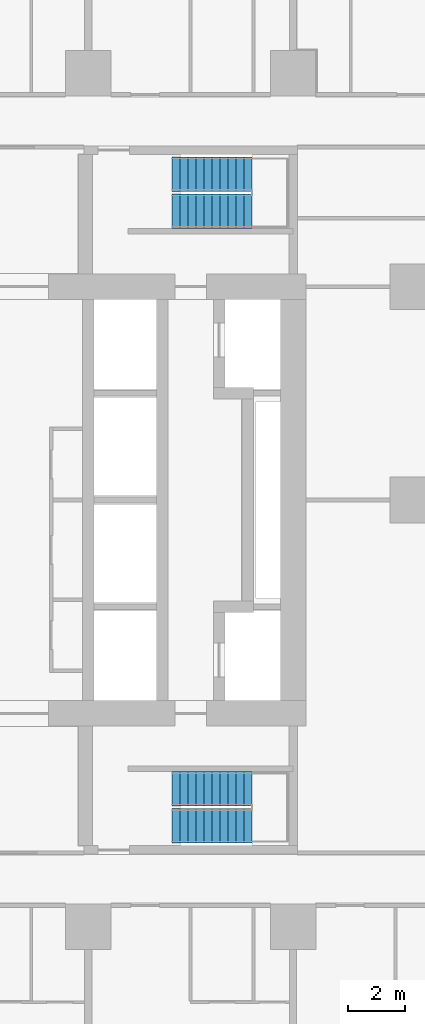
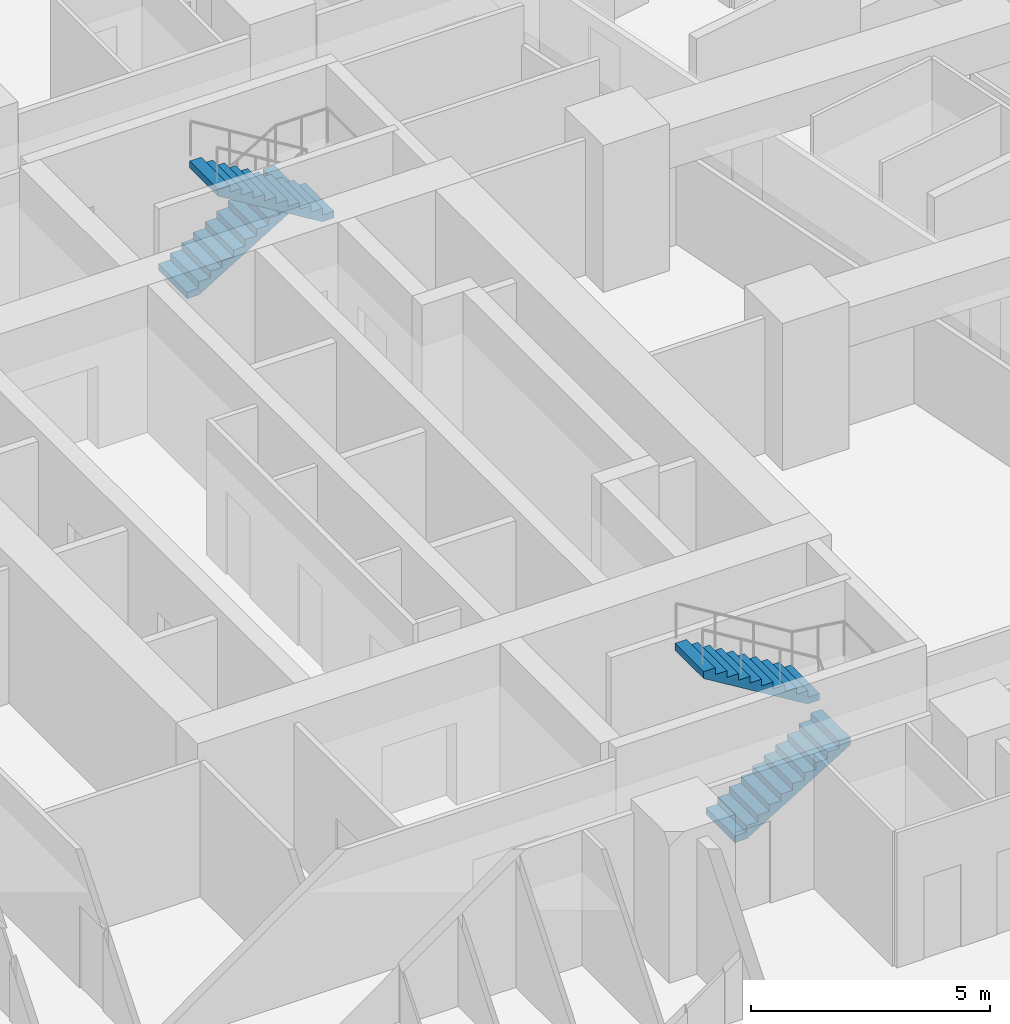
# One storey, part 11 of 14: 4 stair flights, 2 elements without a shape of their own.
"""IFC4 building model written with IfcOpenShell, lengths in metres."""

from ifc_helpers import new_model, si_unit, direction, frame, origin, place, context, subcontext, project, spatial, triangles, material, type_object, element, aggregate, save


model = new_model("IFC4")

# Units and contexts
model_context = context("Model", 3, precision=1e-05, world=origin(), true_north=direction((0.0, 1.0)))
body_context = subcontext(model_context, "Body", "Model", "MODEL_VIEW")
ifc_project = project(units=[si_unit("LENGTHUNIT", "METRE"), si_unit("AREAUNIT", "SQUARE_METRE"), si_unit("VOLUMEUNIT", "CUBIC_METRE"), si_unit("PLANEANGLEUNIT", "RADIAN"), si_unit("MASSUNIT", "GRAM", prefix="KILO")], contexts=[model_context])

# Site, building, storey
site_placement = place(None, origin())
site = spatial("IfcSite", under=ifc_project, at=site_placement, CompositionType="ELEMENT")
building_placement = place(site_placement, origin())
building = spatial("IfcBuilding", under=site, at=building_placement, Name="Sheger Commons Tower", CompositionType="ELEMENT")
storey_placement = place(building_placement, frame((0.0, 0.0, 126.64990234375)))
storey = spatial("IfcBuildingStorey", under=building, at=storey_placement, Name="L32", CompositionType="ELEMENT", Elevation=126.64990234375)

# Stair, stair flights
ifc_material_1 = material(Name="Concrete C35/45", Category="concrete")
stair_type = type_object("IfcStairType", Name="HALF-TURN STAIR 1200 RISE 3750", PredefinedType="HALF_TURN_STAIR", material=ifc_material_1)
stair_1_placement = place(storey_placement, origin())
stair_1 = element("IfcStair", 1, at=stair_1_placement, inside=storey, type_object=stair_type, Name="Stair S1 L32", PredefinedType="HALF_TURN_STAIR")
ifc_material_2 = material(Name="Concrete C35/45", Category="concrete")
stair_flight_type = type_object("IfcStairFlightType", Name="STAIR FLIGHT 1200 11 RISERS OF 170", PredefinedType="STRAIGHT", material=ifc_material_2)
stair_flight_1_placement = place(storey_placement, frame((24.550048828125, 11.050048828125, 0.0), z_axis=(0.0, 0.0, 1.0), x_axis=(1.0, 0.0, 0.0)))
stair_flight_1 = element("IfcStairFlight", 2, at=stair_flight_1_placement, type_object=stair_flight_type, Name="S1 flight 1", NumberOfRisers=11, NumberOfTreads=10, PredefinedType="STRAIGHT", RiserHeight=0.170454545, TreadLength=0.28, context=body_context, shape_type="Tessellation", body=[
    triangles([(0.0, 0.5999755859375, 0.0), (0.0, 0.5999755859375, 0.17041015625), (0.280029296875, 0.5999755859375, 0.17041015625), (0.280029296875, 0.5999755859375, 0.3408203125), (0.56005859375, 0.5999755859375, 0.3408203125), (0.56005859375, 0.5999755859375, 0.511474609375), (0.840087890625, 0.5999755859375, 0.511474609375), (0.840087890625, 0.5999755859375, 0.681884765625), (1.1201171875, 0.5999755859375, 0.681884765625), (1.1201171875, 0.5999755859375, 0.852294921875), (1.39990234375, 0.5999755859375, 0.852294921875), (1.39990234375, 0.5999755859375, 1.022705078125), (1.679931640625, 0.5999755859375, 1.022705078125), (1.679931640625, 0.5999755859375, 1.193115234375), (1.9599609375, 0.5999755859375, 1.193115234375), (1.9599609375, 0.5999755859375, 1.363525390625), (2.239990234375, 0.5999755859375, 1.363525390625), (2.239990234375, 0.5999755859375, 1.5341796875), (2.52001953125, 0.5999755859375, 1.5341796875), (2.52001953125, 0.5999755859375, 1.70458984375), (2.800048828125, 0.5999755859375, 1.70458984375), (2.800048828125, 0.5999755859375, 1.529052734375), (0.288330078125, 0.5999755859375, 0.0), (0.0, -0.5999755859375, 0.0), (0.0, -0.5999755859375, 0.17041015625), (0.280029296875, -0.5999755859375, 0.17041015625), (0.280029296875, -0.5999755859375, 0.3408203125), (0.56005859375, -0.5999755859375, 0.3408203125), (0.56005859375, -0.5999755859375, 0.511474609375), (0.840087890625, -0.5999755859375, 0.511474609375), (0.840087890625, -0.5999755859375, 0.681884765625), (1.1201171875, -0.5999755859375, 0.681884765625), (1.1201171875, -0.5999755859375, 0.852294921875), (1.39990234375, -0.5999755859375, 0.852294921875), (1.39990234375, -0.5999755859375, 1.022705078125), (1.679931640625, -0.5999755859375, 1.022705078125), (1.679931640625, -0.5999755859375, 1.193115234375), (1.9599609375, -0.5999755859375, 1.193115234375), (1.9599609375, -0.5999755859375, 1.363525390625), (2.239990234375, -0.5999755859375, 1.363525390625), (2.239990234375, -0.5999755859375, 1.5341796875), (2.52001953125, -0.5999755859375, 1.5341796875), (2.52001953125, -0.5999755859375, 1.70458984375), (2.800048828125, -0.5999755859375, 1.70458984375), (2.800048828125, -0.5999755859375, 1.529052734375), (0.288330078125, -0.5999755859375, 0.0), (0.0, 0.0, 0.085205078125), (0.1400146484375, 0.0, 0.17041015625), (0.280029296875, 0.0, 0.255615234375), (0.4200439453125, 0.0, 0.3408203125), (0.56005859375, 0.0, 0.4261474609375), (0.7000732421875, 0.0, 0.511474609375), (0.840087890625, 0.0, 0.5966796875), (0.9801025390625, 0.0, 0.681884765625), (1.1201171875, 0.0, 0.76708984375), (1.260009765625, 0.0, 0.852294921875), (1.39990234375, 0.0, 0.9375), (1.5399169921875, 0.0, 1.022705078125), (1.679931640625, 0.0, 1.10791015625), (1.8199462890625, 0.0, 1.193115234375), (1.9599609375, 0.0, 1.2783203125), (2.0999755859375, 0.0, 1.363525390625), (2.239990234375, 0.0, 1.4488525390625), (2.3800048828125, 0.0, 1.5341796875), (2.52001953125, 0.0, 1.619384765625), (2.6600341796875, 0.0, 1.70458984375), (2.800048828125, 0.0, 1.6168212890625), (1.544189453125, 0.0, 0.7645263671875), (0.1441650390625, 0.0, 0.0)], [[1, 22, 23], [24, 46, 45], [22, 20, 21], [45, 44, 43], [22, 19, 20], [45, 43, 42], [22, 18, 19], [45, 42, 41], [22, 17, 18], [45, 41, 40], [17, 15, 16], [40, 39, 38], [22, 15, 17], [45, 40, 38], [15, 13, 14], [38, 37, 36], [22, 13, 15], [45, 38, 36], [13, 11, 12], [36, 35, 34], [22, 11, 13], [45, 36, 34], [11, 9, 10], [34, 33, 32], [22, 9, 11], [45, 34, 32], [9, 7, 8], [32, 31, 30], [22, 7, 9], [45, 32, 30], [7, 5, 6], [30, 29, 28], [22, 5, 7], [45, 30, 28], [5, 3, 4], [28, 27, 26], [22, 3, 5], [45, 28, 26], [1, 3, 22], [24, 45, 26], [3, 1, 2], [26, 25, 24], [1, 47, 2], [2, 47, 25], [25, 47, 24], [24, 47, 1], [2, 48, 3], [3, 48, 26], [26, 48, 25], [25, 48, 2], [3, 49, 4], [4, 49, 27], [27, 49, 26], [26, 49, 3], [4, 50, 5], [5, 50, 28], [28, 50, 27], [27, 50, 4], [5, 51, 6], [6, 51, 29], [29, 51, 28], [28, 51, 5], [6, 52, 7], [7, 52, 30], [30, 52, 29], [29, 52, 6], [7, 53, 8], [8, 53, 31], [31, 53, 30], [30, 53, 7], [8, 54, 9], [9, 54, 32], [32, 54, 31], [31, 54, 8], [9, 55, 10], [10, 55, 33], [33, 55, 32], [32, 55, 9], [10, 56, 11], [11, 56, 34], [34, 56, 33], [33, 56, 10], [11, 57, 12], [12, 57, 35], [35, 57, 34], [34, 57, 11], [12, 58, 13], [13, 58, 36], [36, 58, 35], [35, 58, 12], [13, 59, 14], [14, 59, 37], [37, 59, 36], [36, 59, 13], [14, 60, 15], [15, 60, 38], [38, 60, 37], [37, 60, 14], [15, 61, 16], [16, 61, 39], [39, 61, 38], [38, 61, 15], [16, 62, 17], [17, 62, 40], [40, 62, 39], [39, 62, 16], [17, 63, 18], [18, 63, 41], [41, 63, 40], [40, 63, 17], [18, 64, 19], [19, 64, 42], [42, 64, 41], [41, 64, 18], [19, 65, 20], [20, 65, 43], [43, 65, 42], [42, 65, 19], [20, 66, 21], [21, 66, 44], [44, 66, 43], [43, 66, 20], [21, 67, 22], [22, 67, 45], [45, 67, 44], [44, 67, 21], [22, 68, 23], [23, 68, 46], [46, 68, 45], [45, 68, 22], [23, 69, 1], [1, 69, 24], [24, 69, 46], [46, 69, 23]], closed=True),
])
stair_flight_2_placement = place(storey_placement, frame((27.35009765625, 12.35009765625, 1.875), z_axis=(0.0, 0.0, 1.0), x_axis=(-1.0, 0.0, 0.0)))
stair_flight_2 = element("IfcStairFlight", 3, at=stair_flight_2_placement, type_object=stair_flight_type, Name="S1 flight 2", NumberOfRisers=11, NumberOfTreads=10, PredefinedType="STRAIGHT", RiserHeight=0.170454545, TreadLength=0.28, context=body_context, shape_type="Tessellation", body=[
    triangles([(0.0, 0.5999755859375, 0.0), (0.0, 0.5999755859375, 0.17041015625), (0.280029296875, 0.5999755859375, 0.17041015625), (0.280029296875, 0.5999755859375, 0.3408203125), (0.56005859375, 0.5999755859375, 0.3408203125), (0.56005859375, 0.5999755859375, 0.511474609375), (0.840087890625, 0.5999755859375, 0.511474609375), (0.840087890625, 0.5999755859375, 0.681884765625), (1.1201171875, 0.5999755859375, 0.681884765625), (1.1201171875, 0.5999755859375, 0.852294921875), (1.39990234375, 0.5999755859375, 0.852294921875), (1.39990234375, 0.5999755859375, 1.022705078125), (1.679931640625, 0.5999755859375, 1.022705078125), (1.679931640625, 0.5999755859375, 1.193115234375), (1.9599609375, 0.5999755859375, 1.193115234375), (1.9599609375, 0.5999755859375, 1.363525390625), (2.239990234375, 0.5999755859375, 1.363525390625), (2.239990234375, 0.5999755859375, 1.5341796875), (2.52001953125, 0.5999755859375, 1.5341796875), (2.52001953125, 0.5999755859375, 1.70458984375), (2.800048828125, 0.5999755859375, 1.70458984375), (2.800048828125, 0.5999755859375, 1.529052734375), (0.288330078125, 0.5999755859375, 0.0), (0.0, -0.5999755859375, 0.0), (0.0, -0.5999755859375, 0.17041015625), (0.280029296875, -0.5999755859375, 0.17041015625), (0.280029296875, -0.5999755859375, 0.3408203125), (0.56005859375, -0.5999755859375, 0.3408203125), (0.56005859375, -0.5999755859375, 0.511474609375), (0.840087890625, -0.5999755859375, 0.511474609375), (0.840087890625, -0.5999755859375, 0.681884765625), (1.1201171875, -0.5999755859375, 0.681884765625), (1.1201171875, -0.5999755859375, 0.852294921875), (1.39990234375, -0.5999755859375, 0.852294921875), (1.39990234375, -0.5999755859375, 1.022705078125), (1.679931640625, -0.5999755859375, 1.022705078125), (1.679931640625, -0.5999755859375, 1.193115234375), (1.9599609375, -0.5999755859375, 1.193115234375), (1.9599609375, -0.5999755859375, 1.363525390625), (2.239990234375, -0.5999755859375, 1.363525390625), (2.239990234375, -0.5999755859375, 1.5341796875), (2.52001953125, -0.5999755859375, 1.5341796875), (2.52001953125, -0.5999755859375, 1.70458984375), (2.800048828125, -0.5999755859375, 1.70458984375), (2.800048828125, -0.5999755859375, 1.529052734375), (0.288330078125, -0.5999755859375, 0.0), (0.0, 0.0, 0.085205078125), (0.1400146484375, 0.0, 0.17041015625), (0.280029296875, 0.0, 0.255615234375), (0.4200439453125, 0.0, 0.3408203125), (0.56005859375, 0.0, 0.4261474609375), (0.7000732421875, 0.0, 0.511474609375), (0.840087890625, 0.0, 0.5966796875), (0.9801025390625, 0.0, 0.681884765625), (1.1201171875, 0.0, 0.76708984375), (1.260009765625, 0.0, 0.852294921875), (1.39990234375, 0.0, 0.9375), (1.5399169921875, 0.0, 1.022705078125), (1.679931640625, 0.0, 1.10791015625), (1.8199462890625, 0.0, 1.193115234375), (1.9599609375, 0.0, 1.2783203125), (2.0999755859375, 0.0, 1.363525390625), (2.239990234375, 0.0, 1.4488525390625), (2.3800048828125, 0.0, 1.5341796875), (2.52001953125, 0.0, 1.619384765625), (2.6600341796875, 0.0, 1.70458984375), (2.800048828125, 0.0, 1.6168212890625), (1.544189453125, 0.0, 0.7645263671875), (0.1441650390625, 0.0, 0.0)], [[1, 22, 23], [24, 46, 45], [22, 20, 21], [45, 44, 43], [22, 19, 20], [45, 43, 42], [22, 18, 19], [45, 42, 41], [22, 17, 18], [45, 41, 40], [17, 15, 16], [40, 39, 38], [22, 15, 17], [45, 40, 38], [15, 13, 14], [38, 37, 36], [22, 13, 15], [45, 38, 36], [13, 11, 12], [36, 35, 34], [22, 11, 13], [45, 36, 34], [11, 9, 10], [34, 33, 32], [22, 9, 11], [45, 34, 32], [9, 7, 8], [32, 31, 30], [22, 7, 9], [45, 32, 30], [7, 5, 6], [30, 29, 28], [22, 5, 7], [45, 30, 28], [5, 3, 4], [28, 27, 26], [22, 3, 5], [45, 28, 26], [1, 3, 22], [24, 45, 26], [3, 1, 2], [26, 25, 24], [1, 47, 2], [2, 47, 25], [25, 47, 24], [24, 47, 1], [2, 48, 3], [3, 48, 26], [26, 48, 25], [25, 48, 2], [3, 49, 4], [4, 49, 27], [27, 49, 26], [26, 49, 3], [4, 50, 5], [5, 50, 28], [28, 50, 27], [27, 50, 4], [5, 51, 6], [6, 51, 29], [29, 51, 28], [28, 51, 5], [6, 52, 7], [7, 52, 30], [30, 52, 29], [29, 52, 6], [7, 53, 8], [8, 53, 31], [31, 53, 30], [30, 53, 7], [8, 54, 9], [9, 54, 32], [32, 54, 31], [31, 54, 8], [9, 55, 10], [10, 55, 33], [33, 55, 32], [32, 55, 9], [10, 56, 11], [11, 56, 34], [34, 56, 33], [33, 56, 10], [11, 57, 12], [12, 57, 35], [35, 57, 34], [34, 57, 11], [12, 58, 13], [13, 58, 36], [36, 58, 35], [35, 58, 12], [13, 59, 14], [14, 59, 37], [37, 59, 36], [36, 59, 13], [14, 60, 15], [15, 60, 38], [38, 60, 37], [37, 60, 14], [15, 61, 16], [16, 61, 39], [39, 61, 38], [38, 61, 15], [16, 62, 17], [17, 62, 40], [40, 62, 39], [39, 62, 16], [17, 63, 18], [18, 63, 41], [41, 63, 40], [40, 63, 17], [18, 64, 19], [19, 64, 42], [42, 64, 41], [41, 64, 18], [19, 65, 20], [20, 65, 43], [43, 65, 42], [42, 65, 19], [20, 66, 21], [21, 66, 44], [44, 66, 43], [43, 66, 20], [21, 67, 22], [22, 67, 45], [45, 67, 44], [44, 67, 21], [22, 68, 23], [23, 68, 46], [46, 68, 45], [45, 68, 22], [23, 69, 1], [1, 69, 24], [24, 69, 46], [46, 69, 23]], closed=True),
])
aggregate(stair_1, [stair_flight_1, stair_flight_2])

stair_2_placement = place(storey_placement, origin())
stair_2 = element("IfcStair", 4, at=stair_2_placement, inside=storey, type_object=stair_type, Name="Stair S2 L32", PredefinedType="HALF_TURN_STAIR")
stair_flight_3_placement = place(storey_placement, frame((24.550048828125, 33.949951171875, 0.0), z_axis=(0.0, 0.0, 1.0), x_axis=(1.0, 0.0, 0.0)))
stair_flight_3 = element("IfcStairFlight", 5, at=stair_flight_3_placement, type_object=stair_flight_type, Name="S2 flight 1", NumberOfRisers=11, NumberOfTreads=10, PredefinedType="STRAIGHT", RiserHeight=0.170454545, TreadLength=0.28, context=body_context, shape_type="Tessellation", body=[
    triangles([(0.0, 0.5999755859375, 0.0), (0.0, 0.5999755859375, 0.17041015625), (0.280029296875, 0.5999755859375, 0.17041015625), (0.280029296875, 0.5999755859375, 0.3408203125), (0.56005859375, 0.5999755859375, 0.3408203125), (0.56005859375, 0.5999755859375, 0.511474609375), (0.840087890625, 0.5999755859375, 0.511474609375), (0.840087890625, 0.5999755859375, 0.681884765625), (1.1201171875, 0.5999755859375, 0.681884765625), (1.1201171875, 0.5999755859375, 0.852294921875), (1.39990234375, 0.5999755859375, 0.852294921875), (1.39990234375, 0.5999755859375, 1.022705078125), (1.679931640625, 0.5999755859375, 1.022705078125), (1.679931640625, 0.5999755859375, 1.193115234375), (1.9599609375, 0.5999755859375, 1.193115234375), (1.9599609375, 0.5999755859375, 1.363525390625), (2.239990234375, 0.5999755859375, 1.363525390625), (2.239990234375, 0.5999755859375, 1.5341796875), (2.52001953125, 0.5999755859375, 1.5341796875), (2.52001953125, 0.5999755859375, 1.70458984375), (2.800048828125, 0.5999755859375, 1.70458984375), (2.800048828125, 0.5999755859375, 1.529052734375), (0.288330078125, 0.5999755859375, 0.0), (0.0, -0.5999755859375, 0.0), (0.0, -0.5999755859375, 0.17041015625), (0.280029296875, -0.5999755859375, 0.17041015625), (0.280029296875, -0.5999755859375, 0.3408203125), (0.56005859375, -0.5999755859375, 0.3408203125), (0.56005859375, -0.5999755859375, 0.511474609375), (0.840087890625, -0.5999755859375, 0.511474609375), (0.840087890625, -0.5999755859375, 0.681884765625), (1.1201171875, -0.5999755859375, 0.681884765625), (1.1201171875, -0.5999755859375, 0.852294921875), (1.39990234375, -0.5999755859375, 0.852294921875), (1.39990234375, -0.5999755859375, 1.022705078125), (1.679931640625, -0.5999755859375, 1.022705078125), (1.679931640625, -0.5999755859375, 1.193115234375), (1.9599609375, -0.5999755859375, 1.193115234375), (1.9599609375, -0.5999755859375, 1.363525390625), (2.239990234375, -0.5999755859375, 1.363525390625), (2.239990234375, -0.5999755859375, 1.5341796875), (2.52001953125, -0.5999755859375, 1.5341796875), (2.52001953125, -0.5999755859375, 1.70458984375), (2.800048828125, -0.5999755859375, 1.70458984375), (2.800048828125, -0.5999755859375, 1.529052734375), (0.288330078125, -0.5999755859375, 0.0), (0.0, 0.0, 0.085205078125), (0.1400146484375, 0.0, 0.17041015625), (0.280029296875, 0.0, 0.255615234375), (0.4200439453125, 0.0, 0.3408203125), (0.56005859375, 0.0, 0.4261474609375), (0.7000732421875, 0.0, 0.511474609375), (0.840087890625, 0.0, 0.5966796875), (0.9801025390625, 0.0, 0.681884765625), (1.1201171875, 0.0, 0.76708984375), (1.260009765625, 0.0, 0.852294921875), (1.39990234375, 0.0, 0.9375), (1.5399169921875, 0.0, 1.022705078125), (1.679931640625, 0.0, 1.10791015625), (1.8199462890625, 0.0, 1.193115234375), (1.9599609375, 0.0, 1.2783203125), (2.0999755859375, 0.0, 1.363525390625), (2.239990234375, 0.0, 1.4488525390625), (2.3800048828125, 0.0, 1.5341796875), (2.52001953125, 0.0, 1.619384765625), (2.6600341796875, 0.0, 1.70458984375), (2.800048828125, 0.0, 1.6168212890625), (1.544189453125, 0.0, 0.7645263671875), (0.1441650390625, 0.0, 0.0)], [[1, 22, 23], [24, 46, 45], [22, 20, 21], [45, 44, 43], [22, 19, 20], [45, 43, 42], [22, 18, 19], [45, 42, 41], [22, 17, 18], [45, 41, 40], [17, 15, 16], [40, 39, 38], [22, 15, 17], [45, 40, 38], [15, 13, 14], [38, 37, 36], [22, 13, 15], [45, 38, 36], [13, 11, 12], [36, 35, 34], [22, 11, 13], [45, 36, 34], [11, 9, 10], [34, 33, 32], [22, 9, 11], [45, 34, 32], [9, 7, 8], [32, 31, 30], [22, 7, 9], [45, 32, 30], [7, 5, 6], [30, 29, 28], [22, 5, 7], [45, 30, 28], [5, 3, 4], [28, 27, 26], [22, 3, 5], [45, 28, 26], [1, 3, 22], [24, 45, 26], [3, 1, 2], [26, 25, 24], [1, 47, 2], [2, 47, 25], [25, 47, 24], [24, 47, 1], [2, 48, 3], [3, 48, 26], [26, 48, 25], [25, 48, 2], [3, 49, 4], [4, 49, 27], [27, 49, 26], [26, 49, 3], [4, 50, 5], [5, 50, 28], [28, 50, 27], [27, 50, 4], [5, 51, 6], [6, 51, 29], [29, 51, 28], [28, 51, 5], [6, 52, 7], [7, 52, 30], [30, 52, 29], [29, 52, 6], [7, 53, 8], [8, 53, 31], [31, 53, 30], [30, 53, 7], [8, 54, 9], [9, 54, 32], [32, 54, 31], [31, 54, 8], [9, 55, 10], [10, 55, 33], [33, 55, 32], [32, 55, 9], [10, 56, 11], [11, 56, 34], [34, 56, 33], [33, 56, 10], [11, 57, 12], [12, 57, 35], [35, 57, 34], [34, 57, 11], [12, 58, 13], [13, 58, 36], [36, 58, 35], [35, 58, 12], [13, 59, 14], [14, 59, 37], [37, 59, 36], [36, 59, 13], [14, 60, 15], [15, 60, 38], [38, 60, 37], [37, 60, 14], [15, 61, 16], [16, 61, 39], [39, 61, 38], [38, 61, 15], [16, 62, 17], [17, 62, 40], [40, 62, 39], [39, 62, 16], [17, 63, 18], [18, 63, 41], [41, 63, 40], [40, 63, 17], [18, 64, 19], [19, 64, 42], [42, 64, 41], [41, 64, 18], [19, 65, 20], [20, 65, 43], [43, 65, 42], [42, 65, 19], [20, 66, 21], [21, 66, 44], [44, 66, 43], [43, 66, 20], [21, 67, 22], [22, 67, 45], [45, 67, 44], [44, 67, 21], [22, 68, 23], [23, 68, 46], [46, 68, 45], [45, 68, 22], [23, 69, 1], [1, 69, 24], [24, 69, 46], [46, 69, 23]], closed=True),
])
stair_flight_4_placement = place(storey_placement, frame((27.35009765625, 32.64990234375, 1.875), z_axis=(0.0, 0.0, 1.0), x_axis=(-1.0, 0.0, 0.0)))
stair_flight_4 = element("IfcStairFlight", 6, at=stair_flight_4_placement, type_object=stair_flight_type, Name="S2 flight 2", NumberOfRisers=11, NumberOfTreads=10, PredefinedType="STRAIGHT", RiserHeight=0.170454545, TreadLength=0.28, context=body_context, shape_type="Tessellation", body=[
    triangles([(0.0, 0.5999755859375, 0.0), (0.0, 0.5999755859375, 0.17041015625), (0.280029296875, 0.5999755859375, 0.17041015625), (0.280029296875, 0.5999755859375, 0.3408203125), (0.56005859375, 0.5999755859375, 0.3408203125), (0.56005859375, 0.5999755859375, 0.511474609375), (0.840087890625, 0.5999755859375, 0.511474609375), (0.840087890625, 0.5999755859375, 0.681884765625), (1.1201171875, 0.5999755859375, 0.681884765625), (1.1201171875, 0.5999755859375, 0.852294921875), (1.39990234375, 0.5999755859375, 0.852294921875), (1.39990234375, 0.5999755859375, 1.022705078125), (1.679931640625, 0.5999755859375, 1.022705078125), (1.679931640625, 0.5999755859375, 1.193115234375), (1.9599609375, 0.5999755859375, 1.193115234375), (1.9599609375, 0.5999755859375, 1.363525390625), (2.239990234375, 0.5999755859375, 1.363525390625), (2.239990234375, 0.5999755859375, 1.5341796875), (2.52001953125, 0.5999755859375, 1.5341796875), (2.52001953125, 0.5999755859375, 1.70458984375), (2.800048828125, 0.5999755859375, 1.70458984375), (2.800048828125, 0.5999755859375, 1.529052734375), (0.288330078125, 0.5999755859375, 0.0), (0.0, -0.5999755859375, 0.0), (0.0, -0.5999755859375, 0.17041015625), (0.280029296875, -0.5999755859375, 0.17041015625), (0.280029296875, -0.5999755859375, 0.3408203125), (0.56005859375, -0.5999755859375, 0.3408203125), (0.56005859375, -0.5999755859375, 0.511474609375), (0.840087890625, -0.5999755859375, 0.511474609375), (0.840087890625, -0.5999755859375, 0.681884765625), (1.1201171875, -0.5999755859375, 0.681884765625), (1.1201171875, -0.5999755859375, 0.852294921875), (1.39990234375, -0.5999755859375, 0.852294921875), (1.39990234375, -0.5999755859375, 1.022705078125), (1.679931640625, -0.5999755859375, 1.022705078125), (1.679931640625, -0.5999755859375, 1.193115234375), (1.9599609375, -0.5999755859375, 1.193115234375), (1.9599609375, -0.5999755859375, 1.363525390625), (2.239990234375, -0.5999755859375, 1.363525390625), (2.239990234375, -0.5999755859375, 1.5341796875), (2.52001953125, -0.5999755859375, 1.5341796875), (2.52001953125, -0.5999755859375, 1.70458984375), (2.800048828125, -0.5999755859375, 1.70458984375), (2.800048828125, -0.5999755859375, 1.529052734375), (0.288330078125, -0.5999755859375, 0.0), (0.0, 0.0, 0.085205078125), (0.1400146484375, 0.0, 0.17041015625), (0.280029296875, 0.0, 0.255615234375), (0.4200439453125, 0.0, 0.3408203125), (0.56005859375, 0.0, 0.4261474609375), (0.7000732421875, 0.0, 0.511474609375), (0.840087890625, 0.0, 0.5966796875), (0.9801025390625, 0.0, 0.681884765625), (1.1201171875, 0.0, 0.76708984375), (1.260009765625, 0.0, 0.852294921875), (1.39990234375, 0.0, 0.9375), (1.5399169921875, 0.0, 1.022705078125), (1.679931640625, 0.0, 1.10791015625), (1.8199462890625, 0.0, 1.193115234375), (1.9599609375, 0.0, 1.2783203125), (2.0999755859375, 0.0, 1.363525390625), (2.239990234375, 0.0, 1.4488525390625), (2.3800048828125, 0.0, 1.5341796875), (2.52001953125, 0.0, 1.619384765625), (2.6600341796875, 0.0, 1.70458984375), (2.800048828125, 0.0, 1.6168212890625), (1.544189453125, 0.0, 0.7645263671875), (0.1441650390625, 0.0, 0.0)], [[1, 22, 23], [24, 46, 45], [22, 20, 21], [45, 44, 43], [22, 19, 20], [45, 43, 42], [22, 18, 19], [45, 42, 41], [22, 17, 18], [45, 41, 40], [17, 15, 16], [40, 39, 38], [22, 15, 17], [45, 40, 38], [15, 13, 14], [38, 37, 36], [22, 13, 15], [45, 38, 36], [13, 11, 12], [36, 35, 34], [22, 11, 13], [45, 36, 34], [11, 9, 10], [34, 33, 32], [22, 9, 11], [45, 34, 32], [9, 7, 8], [32, 31, 30], [22, 7, 9], [45, 32, 30], [7, 5, 6], [30, 29, 28], [22, 5, 7], [45, 30, 28], [5, 3, 4], [28, 27, 26], [22, 3, 5], [45, 28, 26], [1, 3, 22], [24, 45, 26], [3, 1, 2], [26, 25, 24], [1, 47, 2], [2, 47, 25], [25, 47, 24], [24, 47, 1], [2, 48, 3], [3, 48, 26], [26, 48, 25], [25, 48, 2], [3, 49, 4], [4, 49, 27], [27, 49, 26], [26, 49, 3], [4, 50, 5], [5, 50, 28], [28, 50, 27], [27, 50, 4], [5, 51, 6], [6, 51, 29], [29, 51, 28], [28, 51, 5], [6, 52, 7], [7, 52, 30], [30, 52, 29], [29, 52, 6], [7, 53, 8], [8, 53, 31], [31, 53, 30], [30, 53, 7], [8, 54, 9], [9, 54, 32], [32, 54, 31], [31, 54, 8], [9, 55, 10], [10, 55, 33], [33, 55, 32], [32, 55, 9], [10, 56, 11], [11, 56, 34], [34, 56, 33], [33, 56, 10], [11, 57, 12], [12, 57, 35], [35, 57, 34], [34, 57, 11], [12, 58, 13], [13, 58, 36], [36, 58, 35], [35, 58, 12], [13, 59, 14], [14, 59, 37], [37, 59, 36], [36, 59, 13], [14, 60, 15], [15, 60, 38], [38, 60, 37], [37, 60, 14], [15, 61, 16], [16, 61, 39], [39, 61, 38], [38, 61, 15], [16, 62, 17], [17, 62, 40], [40, 62, 39], [39, 62, 16], [17, 63, 18], [18, 63, 41], [41, 63, 40], [40, 63, 17], [18, 64, 19], [19, 64, 42], [42, 64, 41], [41, 64, 18], [19, 65, 20], [20, 65, 43], [43, 65, 42], [42, 65, 19], [20, 66, 21], [21, 66, 44], [44, 66, 43], [43, 66, 20], [21, 67, 22], [22, 67, 45], [45, 67, 44], [44, 67, 21], [22, 68, 23], [23, 68, 46], [46, 68, 45], [45, 68, 22], [23, 69, 1], [1, 69, 24], [24, 69, 46], [46, 69, 23]], closed=True),
])
aggregate(stair_2, [stair_flight_3, stair_flight_4])

save(model, "model.ifc")
